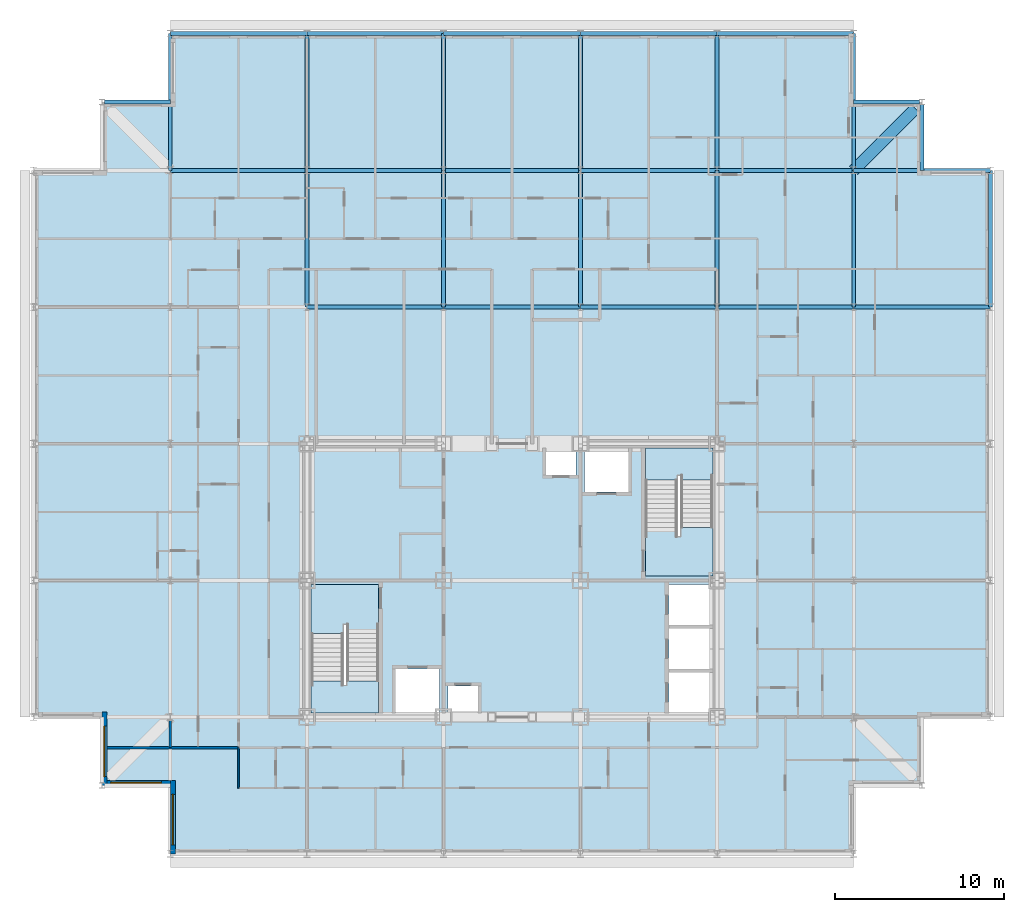
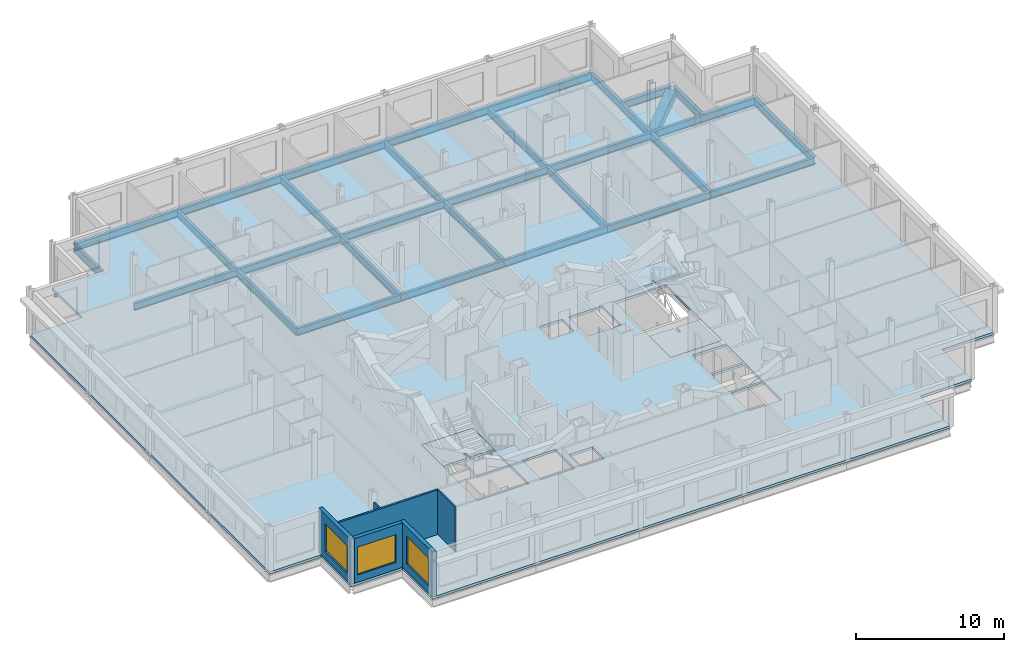
# One storey, part 6 of 15: 32 beams, 6 walls, 5 slabs, 3 windows, 3 openings, 2 elements without a shape of their own.
"""IFC4 building model written with IfcOpenShell, lengths in metres."""

from ifc_helpers import new_model, si_unit, direction, frame, frame_2d, origin, origin_2d, place, context, subcontext, project, spatial, polyline, rectangle, hollow_rectangle, i_section, outline, extrude, material, layer, layer_set, material_profile, profile_set, type_object, element, fill, aggregate, save


model = new_model("IFC4")

# Units and contexts
model_context = context("Model", 3, precision=1e-05, world=origin(), true_north=direction((0.0, 1.0)))
body_context = subcontext(model_context, "Body", "Model", "MODEL_VIEW")
ifc_project = project(units=[si_unit("LENGTHUNIT", "METRE"), si_unit("AREAUNIT", "SQUARE_METRE"), si_unit("VOLUMEUNIT", "CUBIC_METRE"), si_unit("PLANEANGLEUNIT", "RADIAN"), si_unit("MASSUNIT", "GRAM", prefix="KILO")], contexts=[model_context])

# Site, building, storey
site_placement = place(None, origin())
site = spatial("IfcSite", under=ifc_project, at=site_placement, CompositionType="ELEMENT")
building_placement = place(site_placement, origin())
building = spatial("IfcBuilding", under=site, at=building_placement, Name="Kopane Lantern Tower", CompositionType="ELEMENT")
storey_placement = place(building_placement, frame((0.0, 0.0, 277.5)))
storey = spatial("IfcBuildingStorey", under=building, at=storey_placement, Name="L71", CompositionType="ELEMENT", Elevation=277.5)

# Beams
ifc_material_1 = material(Name="Steel S355JR", Category="steel")
ifc_material_profile_1 = material_profile(ifc_material_1, hollow_rectangle(XDim=0.699951171875, YDim=0.699951171875, WallThickness=0.06005859375, at=origin_2d()), Name="BOX 700x700x60")
ifc_profile_set_1 = profile_set([ifc_material_profile_1], Name="Steel S355JR")
beam_type_1 = type_object("IfcBeamType", Name="CORNER TIE BEAM BOX 700x700x60", PredefinedType="BEAM", material=ifc_profile_set_1)
beam_1_placement = place(storey_placement, frame((52.25244140625, 60.3525390625, -0.56005859375), z_axis=(-0.707083148333, -0.70713041325, 0.0), x_axis=(0.70713041325, -0.707083148333, 0.0)))
element("IfcBeam", 1, at=beam_1_placement, inside=storey, type_object=beam_type_1, Name="Corner Tie Beam L71", PredefinedType="BEAM", context=body_context, shape_type="SweptSolid", body=[
    extrude(hollow_rectangle(XDim=0.699951171875, YDim=0.699951171875, WallThickness=0.06005859375, at=origin_2d()), origin(), (0.0, 0.0, 1.0), 5.165283203125),
])
ifc_material_2 = material(Name="Steel S355JR", Category="steel")
ifc_material_profile_2 = material_profile(ifc_material_2, i_section(OverallWidth=0.22900390625, OverallDepth=0.6123046875, WebThickness=0.011962890625, FlangeThickness=0.01953125, FilletRadius=0.0126953125, at=origin_2d()), Name="UB 610x229x125")
ifc_profile_set_2 = profile_set([ifc_material_profile_2], Name="Steel S355JR")
beam_type_2 = type_object("IfcBeamType", Name="EDGE BEAM UB 610x229x125", PredefinedType="BEAM", material=ifc_profile_set_2)
beam_2_placement = place(storey_placement, frame((4.20361328125, 60.75, -0.51611328125), z_axis=(1.0, 0.0, 0.0), x_axis=(0.0, 1.0, 0.0)))
element("IfcBeam", 2, at=beam_2_placement, inside=storey, type_object=beam_type_2, Name="Edge Beam L71", PredefinedType="BEAM", context=body_context, shape_type="SweptSolid", body=[
    extrude(i_section(OverallWidth=0.22900390625, OverallDepth=0.6123046875, WebThickness=0.011962890625, FlangeThickness=0.01953125, FilletRadius=0.0126953125, at=origin_2d()), origin(), (0.0, 0.0, 1.0), 3.896484375),
])
for number, where, z_axis, x_axis, name in (
    (3, (52.496337890625, 60.75, -0.51611328125), (-1.0, 0.0, 0.0), (0.0, -1.0, 0.0), "Edge Beam L71"),
    (4, (52.64990234375, 60.59619140625, -0.51611328125), (0.0, -1.0, 0.0), (1.0, 0.0, 0.0), "Edge Beam L71"),
):
    element("IfcBeam", number, at=place(storey_placement, frame(where, z_axis=z_axis, x_axis=x_axis)), inside=storey, type_object=beam_type_2, Name=name, PredefinedType="BEAM", context=body_context, shape_type="SweptSolid", body=[
        extrude(i_section(OverallWidth=0.22900390625, OverallDepth=0.6123046875, WebThickness=0.011962890625, FlangeThickness=0.01953125, FilletRadius=0.0126953125, at=origin_2d()), origin(), (0.0, 0.0, 1.0), 3.896240234375),
    ])
ifc_material_3 = material(Name="Steel S355JR", Category="steel")
ifc_material_profile_3 = material_profile(ifc_material_3, i_section(OverallWidth=0.22900390625, OverallDepth=0.6123046875, WebThickness=0.011962890625, FlangeThickness=0.01953125, FilletRadius=0.0126953125, at=origin_2d()), Name="UB 610x229x125")
ifc_profile_set_3 = profile_set([ifc_material_profile_3], Name="Steel S355JR")
beam_type_3 = type_object("IfcBeamType", Name="GIRDER UB 610x229x125", PredefinedType="BEAM", material=ifc_profile_set_3)
beam_3_placement = place(storey_placement, frame((8.10009765625, 56.699951171875, -0.51611328125), z_axis=(0.0, 1.0, 0.0), x_axis=(-1.0, 0.0, 0.0)))
element("IfcBeam", 5, at=beam_3_placement, inside=storey, type_object=beam_type_3, Name="Girder L71", PredefinedType="BEAM", context=body_context, shape_type="SweptSolid", body=[
    extrude(i_section(OverallWidth=0.22900390625, OverallDepth=0.6123046875, WebThickness=0.011962890625, FlangeThickness=0.01953125, FilletRadius=0.0126953125, at=origin_2d()), origin(), (0.0, 0.0, 1.0), 8.10009765625),
])
for number, where, z_axis, x_axis, name in (
    (6, (8.10009765625, 56.699951171875, -0.51611328125), (1.0, 0.0, 0.0), (0.0, 1.0, 0.0), "Girder L71"),
    (7, (8.10009765625, 64.800048828125, -0.51611328125), (1.0, 0.0, 0.0), (0.0, 1.0, 0.0), "Girder L71"),
    (8, (16.199951171875, 48.60009765625, -0.51611328125), (0.0, 1.0, 0.0), (-1.0, 0.0, 0.0), "Girder L71"),
):
    element("IfcBeam", number, at=place(storey_placement, frame(where, z_axis=z_axis, x_axis=x_axis)), inside=storey, type_object=beam_type_3, Name=name, PredefinedType="BEAM", context=body_context, shape_type="SweptSolid", body=[
        extrude(i_section(OverallWidth=0.22900390625, OverallDepth=0.6123046875, WebThickness=0.011962890625, FlangeThickness=0.01953125, FilletRadius=0.0126953125, at=origin_2d()), origin(), (0.0, 0.0, 1.0), 8.099853515625),
    ])
for number, where, z_axis, x_axis, name in (
    (9, (16.199951171875, 48.60009765625, -0.51611328125), (1.0, 0.0, 0.0), (0.0, 1.0, 0.0), "Girder L71"),
    (10, (16.199951171875, 56.699951171875, -0.51611328125), (0.0, 1.0, 0.0), (-1.0, 0.0, 0.0), "Girder L71"),
    (11, (16.199951171875, 56.699951171875, -0.51611328125), (1.0, 0.0, 0.0), (0.0, 1.0, 0.0), "Girder L71"),
    (12, (16.199951171875, 64.800048828125, -0.51611328125), (1.0, 0.0, 0.0), (0.0, 1.0, 0.0), "Girder L71"),
):
    element("IfcBeam", number, at=place(storey_placement, frame(where, z_axis=z_axis, x_axis=x_axis)), inside=storey, type_object=beam_type_3, Name=name, PredefinedType="BEAM", context=body_context, shape_type="SweptSolid", body=[
        extrude(i_section(OverallWidth=0.22900390625, OverallDepth=0.6123046875, WebThickness=0.011962890625, FlangeThickness=0.01953125, FilletRadius=0.0126953125, at=origin_2d()), origin(), (0.0, 0.0, 1.0), 8.10009765625),
    ])
for number, where, z_axis, x_axis, name in (
    (13, (24.300048828125, 48.60009765625, -0.51611328125), (0.0, 1.0, 0.0), (-1.0, 0.0, 0.0), "Girder L71"),
    (14, (24.300048828125, 48.60009765625, -0.51611328125), (1.0, 0.0, 0.0), (0.0, 1.0, 0.0), "Girder L71"),
):
    element("IfcBeam", number, at=place(storey_placement, frame(where, z_axis=z_axis, x_axis=x_axis)), inside=storey, type_object=beam_type_3, Name=name, PredefinedType="BEAM", context=body_context, shape_type="SweptSolid", body=[
        extrude(i_section(OverallWidth=0.22900390625, OverallDepth=0.6123046875, WebThickness=0.011962890625, FlangeThickness=0.01953125, FilletRadius=0.0126953125, at=origin_2d()), origin(), (0.0, 0.0, 1.0), 8.099853515625),
    ])
beam_4_placement = place(storey_placement, frame((24.300048828125, 56.699951171875, -0.51611328125), z_axis=(0.0, 1.0, 0.0), x_axis=(-1.0, 0.0, 0.0)))
element("IfcBeam", 15, at=beam_4_placement, inside=storey, type_object=beam_type_3, Name="Girder L71", PredefinedType="BEAM", context=body_context, shape_type="SweptSolid", body=[
    extrude(i_section(OverallWidth=0.22900390625, OverallDepth=0.6123046875, WebThickness=0.011962890625, FlangeThickness=0.01953125, FilletRadius=0.0126953125, at=origin_2d()), origin(), (0.0, 0.0, 1.0), 8.10009765625),
])
for number, where, z_axis, x_axis, name in (
    (16, (24.300048828125, 56.699951171875, -0.51611328125), (1.0, 0.0, 0.0), (0.0, 1.0, 0.0), "Girder L71"),
    (17, (24.300048828125, 64.800048828125, -0.51611328125), (1.0, 0.0, 0.0), (0.0, 1.0, 0.0), "Girder L71"),
    (18, (32.39990234375, 48.60009765625, -0.51611328125), (0.0, 1.0, 0.0), (-1.0, 0.0, 0.0), "Girder L71"),
):
    element("IfcBeam", number, at=place(storey_placement, frame(where, z_axis=z_axis, x_axis=x_axis)), inside=storey, type_object=beam_type_3, Name=name, PredefinedType="BEAM", context=body_context, shape_type="SweptSolid", body=[
        extrude(i_section(OverallWidth=0.22900390625, OverallDepth=0.6123046875, WebThickness=0.011962890625, FlangeThickness=0.01953125, FilletRadius=0.0126953125, at=origin_2d()), origin(), (0.0, 0.0, 1.0), 8.099853515625),
    ])
for number, where, z_axis, x_axis, name in (
    (19, (32.39990234375, 48.60009765625, -0.51611328125), (1.0, 0.0, 0.0), (0.0, 1.0, 0.0), "Girder L71"),
    (20, (32.39990234375, 56.699951171875, -0.51611328125), (0.0, 1.0, 0.0), (-1.0, 0.0, 0.0), "Girder L71"),
    (21, (32.39990234375, 56.699951171875, -0.51611328125), (1.0, 0.0, 0.0), (0.0, 1.0, 0.0), "Girder L71"),
    (22, (32.39990234375, 64.800048828125, -0.51611328125), (1.0, 0.0, 0.0), (0.0, 1.0, 0.0), "Girder L71"),
):
    element("IfcBeam", number, at=place(storey_placement, frame(where, z_axis=z_axis, x_axis=x_axis)), inside=storey, type_object=beam_type_3, Name=name, PredefinedType="BEAM", context=body_context, shape_type="SweptSolid", body=[
        extrude(i_section(OverallWidth=0.22900390625, OverallDepth=0.6123046875, WebThickness=0.011962890625, FlangeThickness=0.01953125, FilletRadius=0.0126953125, at=origin_2d()), origin(), (0.0, 0.0, 1.0), 8.10009765625),
    ])
beam_5_placement = place(storey_placement, frame((40.5, 48.60009765625, -0.51611328125), z_axis=(0.0, 1.0, 0.0), x_axis=(-1.0, 0.0, 0.0)))
element("IfcBeam", 23, at=beam_5_placement, inside=storey, type_object=beam_type_3, Name="Girder L71", PredefinedType="BEAM", context=body_context, shape_type="SweptSolid", body=[
    extrude(i_section(OverallWidth=0.22900390625, OverallDepth=0.6123046875, WebThickness=0.011962890625, FlangeThickness=0.01953125, FilletRadius=0.0126953125, at=origin_2d()), origin(), (0.0, 0.0, 1.0), 8.099853515625),
])
for number, where, z_axis, x_axis, name in (
    (24, (40.5, 48.60009765625, -0.51611328125), (1.0, 0.0, 0.0), (0.0, 1.0, 0.0), "Girder L71"),
    (25, (40.5, 56.699951171875, -0.51611328125), (0.0, 1.0, 0.0), (-1.0, 0.0, 0.0), "Girder L71"),
    (26, (40.5, 56.699951171875, -0.51611328125), (1.0, 0.0, 0.0), (0.0, 1.0, 0.0), "Girder L71"),
    (27, (40.5, 64.800048828125, -0.51611328125), (1.0, 0.0, 0.0), (0.0, 1.0, 0.0), "Girder L71"),
):
    element("IfcBeam", number, at=place(storey_placement, frame(where, z_axis=z_axis, x_axis=x_axis)), inside=storey, type_object=beam_type_3, Name=name, PredefinedType="BEAM", context=body_context, shape_type="SweptSolid", body=[
        extrude(i_section(OverallWidth=0.22900390625, OverallDepth=0.6123046875, WebThickness=0.011962890625, FlangeThickness=0.01953125, FilletRadius=0.0126953125, at=origin_2d()), origin(), (0.0, 0.0, 1.0), 8.10009765625),
    ])
for number, where, z_axis, x_axis, name in (
    (28, (48.60009765625, 48.60009765625, -0.51611328125), (0.0, 1.0, 0.0), (-1.0, 0.0, 0.0), "Girder L71"),
    (29, (48.60009765625, 48.60009765625, -0.51611328125), (1.0, 0.0, 0.0), (0.0, 1.0, 0.0), "Girder L71"),
):
    element("IfcBeam", number, at=place(storey_placement, frame(where, z_axis=z_axis, x_axis=x_axis)), inside=storey, type_object=beam_type_3, Name=name, PredefinedType="BEAM", context=body_context, shape_type="SweptSolid", body=[
        extrude(i_section(OverallWidth=0.22900390625, OverallDepth=0.6123046875, WebThickness=0.011962890625, FlangeThickness=0.01953125, FilletRadius=0.0126953125, at=origin_2d()), origin(), (0.0, 0.0, 1.0), 8.099853515625),
    ])
beam_6_placement = place(storey_placement, frame((48.60009765625, 56.699951171875, -0.51611328125), z_axis=(0.0, 1.0, 0.0), x_axis=(-1.0, 0.0, 0.0)))
element("IfcBeam", 30, at=beam_6_placement, inside=storey, type_object=beam_type_3, Name="Girder L71", PredefinedType="BEAM", context=body_context, shape_type="SweptSolid", body=[
    extrude(i_section(OverallWidth=0.22900390625, OverallDepth=0.6123046875, WebThickness=0.011962890625, FlangeThickness=0.01953125, FilletRadius=0.0126953125, at=origin_2d()), origin(), (0.0, 0.0, 1.0), 8.10009765625),
])
for number, where, z_axis, x_axis, name in (
    (31, (48.60009765625, 56.699951171875, -0.51611328125), (1.0, 0.0, 0.0), (0.0, 1.0, 0.0), "Girder L71"),
    (32, (56.699951171875, 48.60009765625, -0.51611328125), (0.0, 1.0, 0.0), (-1.0, 0.0, 0.0), "Girder L71"),
):
    element("IfcBeam", number, at=place(storey_placement, frame(where, z_axis=z_axis, x_axis=x_axis)), inside=storey, type_object=beam_type_3, Name=name, PredefinedType="BEAM", context=body_context, shape_type="SweptSolid", body=[
        extrude(i_section(OverallWidth=0.22900390625, OverallDepth=0.6123046875, WebThickness=0.011962890625, FlangeThickness=0.01953125, FilletRadius=0.0126953125, at=origin_2d()), origin(), (0.0, 0.0, 1.0), 8.099853515625),
    ])

# Slab
ifc_material_4 = material(Name="Concrete C40/50", Category="concrete")
ifc_layer_1 = layer(ifc_material_4, 0.2099609375)
ifc_layer_set_1 = layer_set([ifc_layer_1], Name="SLAB 210 COMPOSITE")
slab_type_1 = type_object("IfcSlabType", Name="SLAB 210 COMPOSITE", PredefinedType="FLOOR", material=ifc_layer_set_1)
slab_1_placement = place(storey_placement, frame((0.0, 0.0, -0.2099609375)))
element("IfcSlab", 33, at=slab_1_placement, inside=storey, type_object=slab_type_1, Name="Floor slab L71", PredefinedType="FLOOR", context=body_context, shape_type="SweptSolid", body=[
    extrude(outline(polyline([(8.10009765625, 16.199951171875), (48.60009765625, 16.199951171875), (48.60009765625, 20.25), (52.64990234375, 20.25), (52.64990234375, 24.300048828125), (56.699951171875, 24.300048828125), (56.699951171875, 56.699951171875), (52.64990234375, 56.699951171875), (52.64990234375, 60.75), (48.60009765625, 60.75), (48.60009765625, 64.800048828125), (8.10009765625, 64.800048828125), (8.10009765625, 60.75), (4.050048828125, 60.75), (4.050048828125, 56.699951171875), (0.0, 56.699951171875), (0.0, 24.300048828125), (4.050048828125, 24.300048828125), (4.050048828125, 20.25), (8.10009765625, 20.25), (8.10009765625, 16.199951171875)]), holes=[polyline([(16.449951171875, 24.550048828125), (20.449951171875, 24.550048828125), (20.449951171875, 32.14990234375), (16.449951171875, 32.14990234375), (16.449951171875, 24.550048828125)]), polyline([(36.25, 32.64990234375), (40.25, 32.64990234375), (40.25, 40.25), (36.25, 40.25), (36.25, 32.64990234375)]), polyline([(37.64990234375, 24.550048828125), (40.25, 24.550048828125), (40.25, 26.949951171875), (37.64990234375, 26.949951171875), (37.64990234375, 24.550048828125)]), polyline([(37.64990234375, 27.14990234375), (40.25, 27.14990234375), (40.25, 29.550048828125), (37.64990234375, 29.550048828125), (37.64990234375, 27.14990234375)]), polyline([(37.64990234375, 29.75), (40.25, 29.75), (40.25, 32.14990234375), (37.64990234375, 32.14990234375), (37.64990234375, 29.75)]), polyline([(21.449951171875, 24.550048828125), (24.050048828125, 24.550048828125), (24.050048828125, 27.14990234375), (21.449951171875, 27.14990234375), (21.449951171875, 24.550048828125)]), polyline([(32.64990234375, 37.64990234375), (35.25, 37.64990234375), (35.25, 40.25), (32.64990234375, 40.25), (32.64990234375, 37.64990234375)]), polyline([(24.550048828125, 24.550048828125), (26.35009765625, 24.550048828125), (26.35009765625, 26.14990234375), (24.550048828125, 26.14990234375), (24.550048828125, 24.550048828125)]), polyline([(30.35009765625, 38.64990234375), (32.14990234375, 38.64990234375), (32.14990234375, 40.25), (30.35009765625, 40.25), (30.35009765625, 38.64990234375)])]), origin(), (0.0, 0.0, 1.0), 0.2099609375),
])

# Stair, slabs
ifc_material_5 = material(Name="Steel S355JR", Category="steel")
stair_type = type_object("IfcStairType", Name="EXIT STAIR 1900 HALF TURN", PredefinedType="HALF_TURN_STAIR", material=ifc_material_5)
stair_1_placement = place(storey_placement, origin())
stair_1 = element("IfcStair", 34, at=stair_1_placement, inside=storey, type_object=stair_type, Name="Exit stair ST1 L71", PredefinedType="HALF_TURN_STAIR")
ifc_material_6 = material(Name="Concrete C40/50", Category="concrete")
ifc_layer_2 = layer(ifc_material_6, 0.199951171875)
ifc_layer_set_2 = layer_set([ifc_layer_2], Name="STAIR LANDING 200")
slab_type_2 = type_object("IfcSlabType", Name="STAIR LANDING 200", PredefinedType="LANDING", material=ifc_layer_set_2)
slab_2_placement = place(storey_placement, frame((0.0, 0.0, -0.199951171875)))
slab_2 = element("IfcSlab", 35, at=slab_2_placement, type_object=slab_type_2, Name="ST1 landing 1", PredefinedType="LANDING", context=body_context, shape_type="SweptSolid", body=[
    extrude(outline(polyline([(18.35009765625, 29.81005859375), (18.550048828125, 29.81005859375), (18.550048828125, 29.25), (20.449951171875, 29.25), (20.449951171875, 32.14990234375), (16.449951171875, 32.14990234375), (16.449951171875, 29.25), (18.35009765625, 29.25), (18.35009765625, 29.81005859375)])), origin(), (0.0, 0.0, 1.0), 0.199951171875),
])
slab_3_placement = place(storey_placement, frame((0.0, 0.0, 1.834716796875)))
slab_3 = element("IfcSlab", 36, at=slab_3_placement, type_object=slab_type_2, Name="ST1 landing 2", PredefinedType="LANDING", context=body_context, shape_type="SweptSolid", body=[
    extrude(outline(polyline([(20.449951171875, 26.449951171875), (18.550048828125, 26.449951171875), (18.550048828125, 26.169921875), (18.35009765625, 26.169921875), (18.35009765625, 26.449951171875), (16.449951171875, 26.449951171875), (16.449951171875, 24.550048828125), (20.449951171875, 24.550048828125), (20.449951171875, 26.449951171875)])), origin(), (0.0, 0.0, 1.0), 0.2001953125),
])
aggregate(stair_1, [slab_2, slab_3])

stair_2_placement = place(storey_placement, origin())
stair_2 = element("IfcStair", 37, at=stair_2_placement, inside=storey, type_object=stair_type, Name="Exit stair ST2 L71", PredefinedType="HALF_TURN_STAIR")
slab_4_placement = place(storey_placement, frame((0.0, 0.0, -0.199951171875)))
slab_4 = element("IfcSlab", 38, at=slab_4_placement, type_object=slab_type_2, Name="ST2 landing 1", PredefinedType="LANDING", context=body_context, shape_type="SweptSolid", body=[
    extrude(outline(polyline([(40.25, 35.550048828125), (38.35009765625, 35.550048828125), (38.35009765625, 34.989990234375), (38.14990234375, 34.989990234375), (38.14990234375, 35.550048828125), (36.25, 35.550048828125), (36.25, 32.64990234375), (40.25, 32.64990234375), (40.25, 35.550048828125)])), origin(), (0.0, 0.0, 1.0), 0.199951171875),
])
slab_5_placement = place(storey_placement, frame((0.0, 0.0, 1.834716796875)))
slab_5 = element("IfcSlab", 39, at=slab_5_placement, type_object=slab_type_2, Name="ST2 landing 2", PredefinedType="LANDING", context=body_context, shape_type="SweptSolid", body=[
    extrude(outline(polyline([(38.14990234375, 38.6298828125), (38.35009765625, 38.6298828125), (38.35009765625, 38.35009765625), (40.25, 38.35009765625), (40.25, 40.25), (36.25, 40.25), (36.25, 38.35009765625), (38.14990234375, 38.35009765625), (38.14990234375, 38.6298828125)])), origin(), (0.0, 0.0, 1.0), 0.2001953125),
])
aggregate(stair_2, [slab_4, slab_5])

# Walls
ifc_material_7 = material(Name="Gypsum board on steel studs", Category="steel")
ifc_layer_3 = layer(ifc_material_7, 0.1201171875)
ifc_layer_set_3 = layer_set([ifc_layer_3], Name="APARTMENT INTERNAL WALL 120")
wall_type_1 = type_object("IfcWallType", Name="APARTMENT INTERNAL WALL 120", PredefinedType="PARTITIONING", material=ifc_layer_set_3)
wall_1_placement = place(storey_placement, frame((8.10009765625, 22.5, 0.0), z_axis=(0.0, 0.0, 1.0), x_axis=(0.0, 1.0, 0.0)))
element("IfcWall", 40, at=wall_1_placement, inside=storey, type_object=wall_type_1, Name="Apartment Internal Wall 120 L71", PredefinedType="PARTITIONING", context=body_context, shape_type="SweptSolid", body=[
    extrude(rectangle(XDim=1.596923828125, YDim=0.1201171875, at=frame_2d((0.79833984375, 0.0))), origin(), (0.0, 0.0, 1.0), 3.077880859375),
])
ifc_material_8 = material(Name="Moisture-resistant board on steel studs", Category="steel")
ifc_layer_4 = layer(ifc_material_8, 0.10009765625)
ifc_layer_set_4 = layer_set([ifc_layer_4], Name="BATHROOM WALL 100")
wall_type_2 = type_object("IfcWallType", Name="BATHROOM WALL 100", PredefinedType="PARTITIONING", material=ifc_layer_set_4)
wall_2_placement = place(storey_placement, frame((12.14990234375, 22.5, 0.0), z_axis=(0.0, 0.0, 1.0), x_axis=(0.0, -1.0, 0.0)))
element("IfcWall", 41, at=wall_2_placement, inside=storey, type_object=wall_type_2, Name="Bathroom Wall 100 L71", PredefinedType="PARTITIONING", context=body_context, shape_type="SweptSolid", body=[
    extrude(rectangle(XDim=2.39990234375, YDim=0.10009765625, at=frame_2d((1.199951171875, 0.0))), origin(), (0.0, 0.0, 1.0), 3.68994140625),
])
ifc_material_9 = material(Name="Gypsum board on steel studs", Category="steel")
ifc_layer_5 = layer(ifc_material_9, 0.14990234375)
ifc_layer_set_5 = layer_set([ifc_layer_5], Name="DEMISING WALL 150 EI 60")
wall_type_3 = type_object("IfcWallType", Name="DEMISING WALL 150 EI 60", PredefinedType="PARTITIONING", material=ifc_layer_set_5)
wall_3_placement = place(storey_placement, frame((4.35009765625, 22.5, 0.0), z_axis=(0.0, 0.0, 1.0), x_axis=(1.0, 0.0, 0.0)))
element("IfcWall", 42, at=wall_3_placement, inside=storey, type_object=wall_type_3, Name="Demising Wall 150 Ei 60 L71", PredefinedType="PARTITIONING", context=body_context, shape_type="SweptSolid", body=[
    extrude(rectangle(XDim=7.7998046875, YDim=0.14990234375, at=frame_2d((3.89990234375, 0.0))), origin(), (0.0, 0.0, 1.0), 3.68994140625),
])

# Wall, opening, window
ifc_material_10 = material(Name="Terracotta rainscreen on light steel framing", Category="masonry")
ifc_layer_6 = layer(ifc_material_10, 0.300048828125)
ifc_layer_set_6 = layer_set([ifc_layer_6], Name="EXTERNAL WALL EW1 300 TERRACOTTA")
wall_type_4 = type_object("IfcWallType", Name="EXTERNAL WALL EW1 300 TERRACOTTA", PredefinedType="SOLIDWALL", material=ifc_layer_set_6)
wall_4_placement = place(storey_placement, frame((4.199951171875, 24.60009765625, 0.0), z_axis=(0.0, 0.0, 1.0), x_axis=(0.0, -1.0, 0.0)))
wall_4 = element("IfcWall", 43, at=wall_4_placement, inside=storey, type_object=wall_type_4, Name="External wall W L71", PredefinedType="SOLIDWALL", context=body_context, shape_type="SweptSolid", body=[
    extrude(rectangle(XDim=4.35009765625, YDim=0.300048828125, at=frame_2d((2.175048828125, 0.0))), origin(), (0.0, 0.0, 1.0), 3.68994140625),
])
opening_1_placement = place(wall_4_placement, frame((0.824951171875, 0.0, 0.60009765625)))
opening_1 = element("IfcOpeningElement", 44, at=opening_1_placement, cuts=wall_4, Name="Opening WR300230", PredefinedType="OPENING", context=body_context, shape_type="SweptSolid", body=[
    extrude(rectangle(XDim=3.0, YDim=2.300048828125, at=frame_2d((1.5, 1.14990234375))), frame((0.0, 0.159912109375, 0.0), z_axis=(0.0, -1.0, 0.0), x_axis=(1.0, 0.0, 0.0)), (0.0, 0.0, 1.0), 0.320068359375),
])
ifc_material_11 = material(Name="Aluminium and clear glass", Category="aluminium")
window_type = type_object("IfcWindowType", Name="RIBBON WINDOW WR300230 3000x2300", PartitioningType="SINGLE_PANEL", PredefinedType="WINDOW", material=ifc_material_11)
window_1_placement = place(opening_1_placement, origin())
window_1 = element("IfcWindow", 45, at=window_1_placement, inside=storey, type_object=window_type, Name="Window W L71", OverallHeight=2.300048828125, OverallWidth=3.0, PartitioningType="SINGLE_PANEL", PredefinedType="WINDOW", context=body_context, shape_type="SweptSolid", body=[
    extrude(rectangle(XDim=3.0, YDim=2.300048828125, at=frame_2d((1.5, 1.14990234375))), frame((0.0, 0.030029296875, 0.0), z_axis=(0.0, -1.0, 0.0), x_axis=(1.0, 0.0, 0.0)), (0.0, 0.0, 1.0), 0.06005859375),
])
fill(opening_1, window_1)

wall_5_placement = place(storey_placement, frame((4.35009765625, 20.39990234375, 0.0), z_axis=(0.0, 0.0, 1.0), x_axis=(1.0, 0.0, 0.0)))
wall_5 = element("IfcWall", 46, at=wall_5_placement, inside=storey, type_object=wall_type_4, Name="External wall S L71", PredefinedType="SOLIDWALL", context=body_context, shape_type="SweptSolid", body=[
    extrude(rectangle(XDim=3.75, YDim=0.300048828125, at=frame_2d((1.875, 0.0))), origin(), (0.0, 0.0, 1.0), 3.68994140625),
])
opening_2_placement = place(wall_5_placement, frame((0.22509765625, 0.0, 0.60009765625)))
opening_2 = element("IfcOpeningElement", 47, at=opening_2_placement, cuts=wall_5, Name="Opening WR300230", PredefinedType="OPENING", context=body_context, shape_type="SweptSolid", body=[
    extrude(rectangle(XDim=3.0, YDim=2.300048828125, at=frame_2d((1.5, 1.14990234375))), frame((0.0, 0.159912109375, 0.0), z_axis=(0.0, -1.0, 0.0), x_axis=(1.0, 0.0, 0.0)), (0.0, 0.0, 1.0), 0.320068359375),
])
window_2_placement = place(opening_2_placement, origin())
window_2 = element("IfcWindow", 48, at=window_2_placement, inside=storey, type_object=window_type, Name="Window S L71", OverallHeight=2.300048828125, OverallWidth=3.0, PartitioningType="SINGLE_PANEL", PredefinedType="WINDOW", context=body_context, shape_type="SweptSolid", body=[
    extrude(rectangle(XDim=3.0, YDim=2.300048828125, at=frame_2d((1.5, 1.14990234375))), frame((0.0, 0.030029296875, 0.0), z_axis=(0.0, -1.0, 0.0), x_axis=(1.0, 0.0, 0.0)), (0.0, 0.0, 1.0), 0.06005859375),
])
fill(opening_2, window_2)

wall_6_placement = place(storey_placement, frame((8.25, 20.550048828125, 0.0), z_axis=(0.0, 0.0, 1.0), x_axis=(0.0, -1.0, 0.0)))
wall_6 = element("IfcWall", 49, at=wall_6_placement, inside=storey, type_object=wall_type_4, Name="External wall W L71", PredefinedType="SOLIDWALL", context=body_context, shape_type="SweptSolid", body=[
    extrude(rectangle(XDim=4.35009765625, YDim=0.300048828125, at=frame_2d((2.175048828125, 0.0))), origin(), (0.0, 0.0, 1.0), 3.68994140625),
])
opening_3_placement = place(wall_6_placement, frame((0.824951171875, 0.0, 0.60009765625)))
opening_3 = element("IfcOpeningElement", 50, at=opening_3_placement, cuts=wall_6, Name="Opening WR300230", PredefinedType="OPENING", context=body_context, shape_type="SweptSolid", body=[
    extrude(rectangle(XDim=3.0, YDim=2.300048828125, at=frame_2d((1.5, 1.14990234375))), frame((0.0, 0.159912109375, 0.0), z_axis=(0.0, -1.0, 0.0), x_axis=(1.0, 0.0, 0.0)), (0.0, 0.0, 1.0), 0.320068359375),
])
window_3_placement = place(opening_3_placement, origin())
window_3 = element("IfcWindow", 51, at=window_3_placement, inside=storey, type_object=window_type, Name="Window W L71", OverallHeight=2.300048828125, OverallWidth=3.0, PartitioningType="SINGLE_PANEL", PredefinedType="WINDOW", context=body_context, shape_type="SweptSolid", body=[
    extrude(rectangle(XDim=3.0, YDim=2.300048828125, at=frame_2d((1.5, 1.14990234375))), frame((0.0, 0.030029296875, 0.0), z_axis=(0.0, -1.0, 0.0), x_axis=(1.0, 0.0, 0.0)), (0.0, 0.0, 1.0), 0.06005859375),
])
fill(opening_3, window_3)

save(model, "model.ifc")
